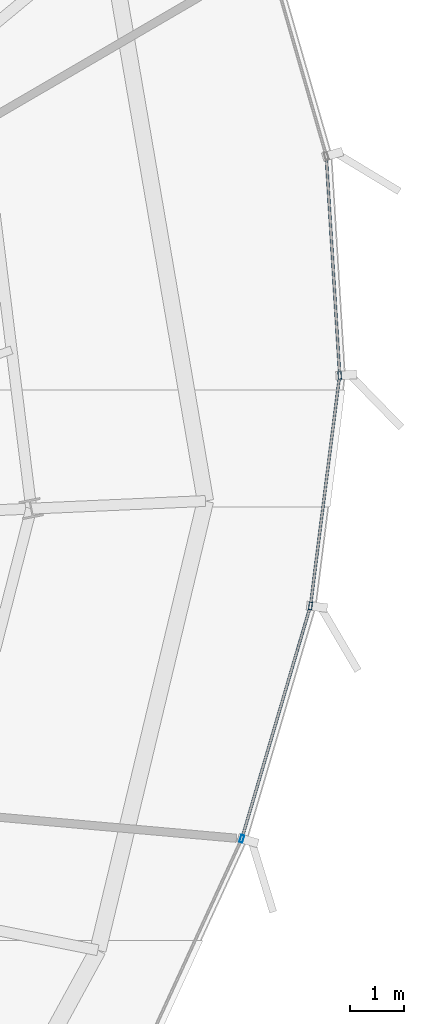
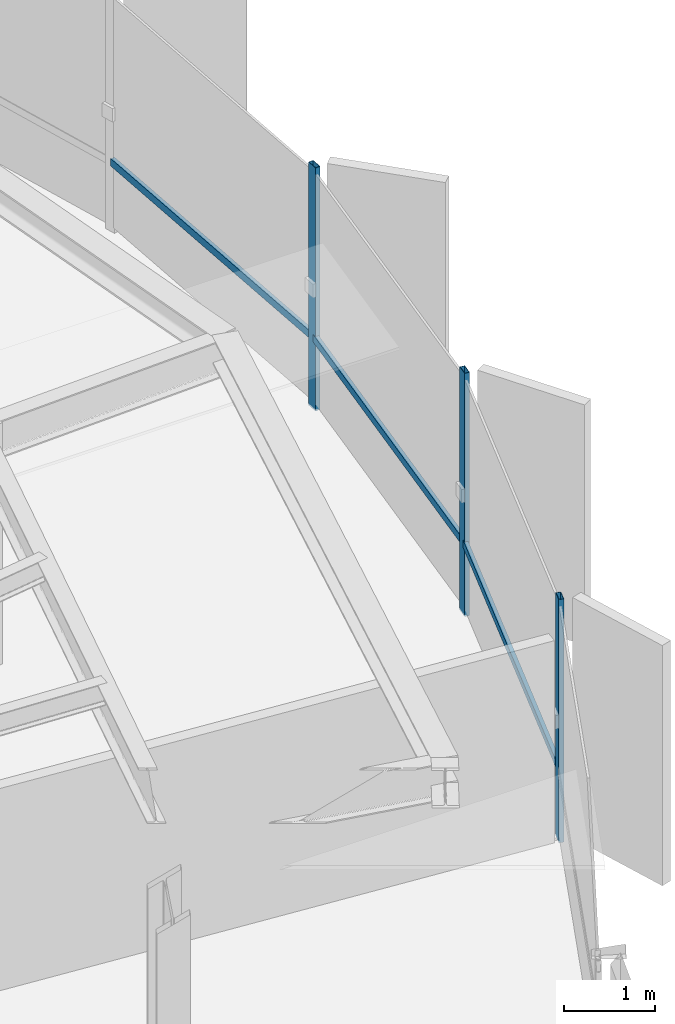
# One storey, part 19 of 34: 6 members, 1 element without a shape of its own.
"""IFC4 building model written with IfcOpenShell, lengths in metres."""

from ifc_helpers import new_model, si_unit, direction, frame, origin, origin_2d, place, context, subcontext, project, spatial, hollow_rectangle, extrude, source, transform, mapped, material, layer, layer_set, material_profile, profile_set, type_object, element, aggregate, save


model = new_model("IFC4")

# Units and contexts
model_context = context("Model", 3, precision=1e-05, world=origin(), true_north=direction((0.0, 1.0)))
body_context = subcontext(model_context, "Body", "Model", "MODEL_VIEW")
ifc_project = project(units=[si_unit("LENGTHUNIT", "METRE"), si_unit("AREAUNIT", "SQUARE_METRE"), si_unit("VOLUMEUNIT", "CUBIC_METRE"), si_unit("PLANEANGLEUNIT", "RADIAN"), si_unit("MASSUNIT", "GRAM", prefix="KILO"), si_unit("THERMODYNAMICTEMPERATUREUNIT", "KELVIN")], contexts=[model_context])

# Site, building, storey
site_placement = place(None, origin())
site = spatial("IfcSite", under=ifc_project, at=site_placement, CompositionType="ELEMENT")
building_placement = place(site_placement, origin())
building = spatial("IfcBuilding", under=site, at=building_placement, Name="Kethvar Cultural Tower", CompositionType="ELEMENT")
storey_placement = place(building_placement, frame((0.0, 0.0, 186.89990234375)))
storey = spatial("IfcBuildingStorey", under=building, at=storey_placement, Name="L48", CompositionType="ELEMENT", Elevation=186.89990234375)

# Curtain wall, members
ifc_material = material(Name="Aluminium 6063-T6", Category="aluminium")
ifc_layer = layer(ifc_material, 0.179931640625, Name="Aluminium 6063-T6", Category="aluminium")
ifc_layer_set = layer_set([ifc_layer], Name="Aluminium 6063-T6 (180 mm)")
curtain_wall_type = type_object("IfcCurtainWallType", Name="CW-SYS-04-Z34", PredefinedType="NOTDEFINED", material=ifc_layer_set)
curtain_wall_placement = place(storey_placement, origin())
curtain_wall = element("IfcCurtainWall", 1, at=curtain_wall_placement, inside=storey, type_object=curtain_wall_type, Name="L48 Curtain Wall Run 06", PredefinedType="NOTDEFINED")
ifc_material_profile_1 = material_profile(ifc_material, hollow_rectangle(XDim=0.06005859375, YDim=0.139892578125, WallThickness=0.0048828125, at=origin_2d()), Name="Aluminium 6063-T6 — RHS140x60x5")
ifc_profile_set_1 = profile_set([ifc_material_profile_1], Name="Aluminium 6063-T6 — RHS140x60x5")
member_type_1 = type_object("IfcMemberType", Name="CW-SYS-04-Z34-MUL", PredefinedType="MULLION", material=ifc_profile_set_1)
shared_shape_1 = source(origin(), body_context, "Body", "SweptSolid", [
    extrude(hollow_rectangle(XDim=0.06005859375, YDim=0.139892578125, WallThickness=0.0048828125, at=origin_2d()), origin(), (0.0, 0.0, 1.0), 3.260009765625),
])
member_1_placement = place(storey_placement, frame((70.428955078125, 25.67236328125, 0.0), z_axis=(0.0, 0.0, 1.0), x_axis=(-0.959249888603, 0.28255911101, 0.0)))
member_1 = element("IfcMember", 2, at=member_1_placement, type_object=member_type_1, Name="CW-L48-R06 Mullion 2", PredefinedType="MULLION", context=body_context, shape_type="MappedRepresentation", body=[
    mapped(shared_shape_1, transform((0.0, 0.0, 0.0), scale=1.0)),
])
member_2_placement = place(storey_placement, frame((71.68896484375, 29.94482421875, 0.0), z_axis=(0.0, 0.0, 1.0), x_axis=(-0.992103760149, 0.125419811427, 0.0)))
member_2 = element("IfcMember", 3, at=member_2_placement, type_object=member_type_1, Name="CW-L48-R06 Mullion 3", PredefinedType="MULLION", context=body_context, shape_type="MappedRepresentation", body=[
    mapped(shared_shape_1, transform((0.0, 0.0, 0.0), scale=1.0)),
])
member_3_placement = place(storey_placement, frame((72.2255859375, 34.17529296875, 0.0), z_axis=(0.0, 0.0, 1.0), x_axis=(-0.998128399961, -0.061153063632, 0.0)))
member_3 = element("IfcMember", 4, at=member_3_placement, type_object=member_type_1, Name="CW-L48-R06 Mullion 4", PredefinedType="MULLION", context=body_context, shape_type="MappedRepresentation", body=[
    mapped(shared_shape_1, transform((0.0, 0.0, 0.0), scale=1.0)),
])
ifc_material_profile_2 = material_profile(ifc_material, hollow_rectangle(XDim=0.050048828125, YDim=0.10009765625, WallThickness=0.00390625, at=origin_2d()), Name="Aluminium 6063-T6 — RHS100x50x4")
ifc_profile_set_2 = profile_set([ifc_material_profile_2], Name="Aluminium 6063-T6 — RHS100x50x4")
member_type_2 = type_object("IfcMemberType", Name="CW-SYS-04-Z34-TRN", PredefinedType="USERDEFINED", material=ifc_profile_set_2)
shared_shape_2 = source(origin(), body_context, "Body", "SweptSolid", [
    extrude(hollow_rectangle(XDim=0.050048828125, YDim=0.10009765625, WallThickness=0.00390625, at=origin_2d()), origin(), (0.0, 0.0, 1.0), 4.1982421875),
])
member_4_placement = place(storey_placement, frame((71.6943359375, 29.98779296875, 0.9501953125), z_axis=(0.125437455974, 0.9921015294, 0.0), x_axis=(-0.9921015294, 0.125437455974, 0.0)))
member_4 = element("IfcMember", 5, at=member_4_placement, type_object=member_type_2, Name="CW-L48-R06 Transom 3", ObjectType="TRANSOM", PredefinedType="USERDEFINED", context=body_context, shape_type="MappedRepresentation", body=[
    mapped(shared_shape_2, transform((0.0, 0.0, 0.0), scale=1.0)),
])
shared_shape_3 = source(origin(), body_context, "Body", "SweptSolid", [
    extrude(hollow_rectangle(XDim=0.050048828125, YDim=0.10009765625, WallThickness=0.00390625, at=origin_2d()), origin(), (0.0, 0.0, 1.0), 3.970458984375),
])
member_5_placement = place(storey_placement, frame((72.222900390625, 34.21826171875, 0.9501953125), z_axis=(-0.061180072144, 0.998126744844, 0.0), x_axis=(-0.998126744844, -0.061180072144, 0.0)))
member_5 = element("IfcMember", 6, at=member_5_placement, type_object=member_type_2, Name="CW-L48-R06 Transom 4", ObjectType="TRANSOM", PredefinedType="USERDEFINED", context=body_context, shape_type="MappedRepresentation", body=[
    mapped(shared_shape_3, transform((0.0, 0.0, 0.0), scale=1.0)),
])
shared_shape_4 = source(origin(), body_context, "Body", "SweptSolid", [
    extrude(hollow_rectangle(XDim=0.050048828125, YDim=0.10009765625, WallThickness=0.00390625, at=origin_2d()), origin(), (0.0, 0.0, 1.0), 4.385498046875),
])
member_6_placement = place(storey_placement, frame((70.441162109375, 25.7138671875, 0.9501953125), z_axis=(0.282579210741, 0.959243967746, 0.0), x_axis=(-0.959243967746, 0.282579210741, 0.0)))
member_6 = element("IfcMember", 7, at=member_6_placement, type_object=member_type_2, Name="CW-L48-R06 Transom 2", ObjectType="TRANSOM", PredefinedType="USERDEFINED", context=body_context, shape_type="MappedRepresentation", body=[
    mapped(shared_shape_4, transform((0.0, 0.0, 0.0), scale=1.0)),
])
aggregate(curtain_wall, [member_1, member_2, member_3, member_6, member_4, member_5])

save(model, "model.ifc")
